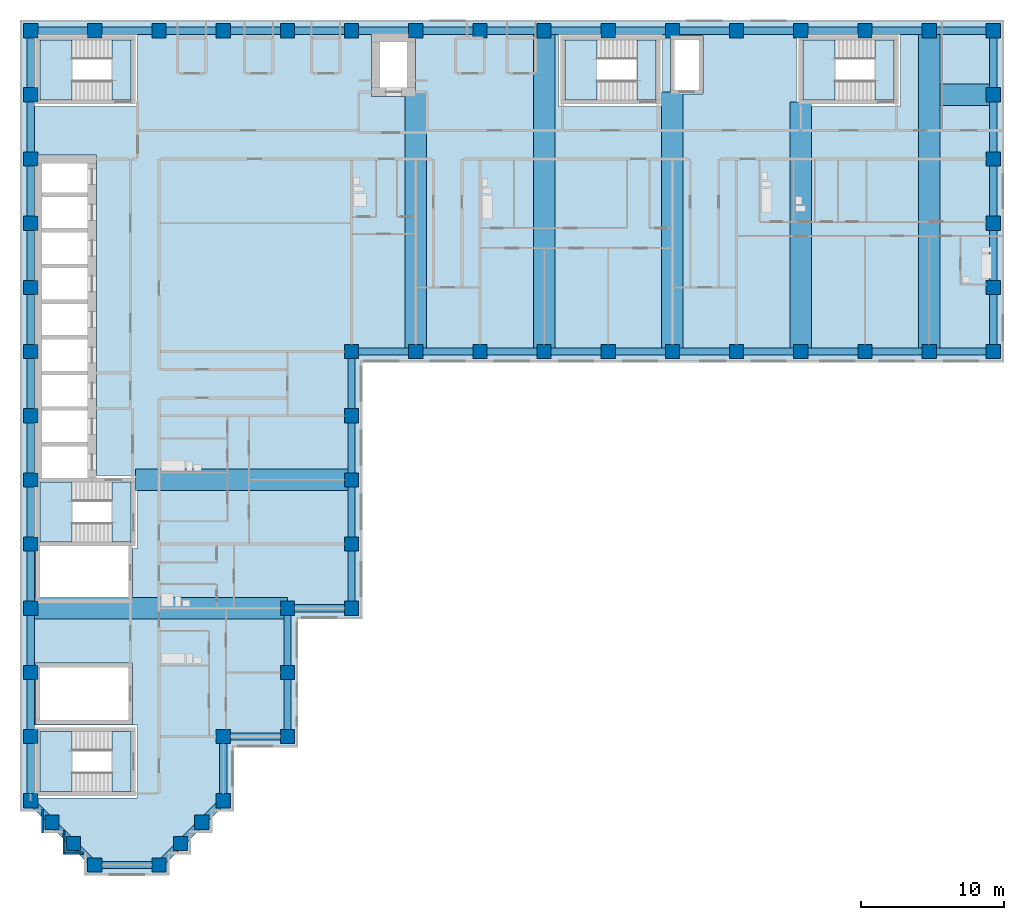
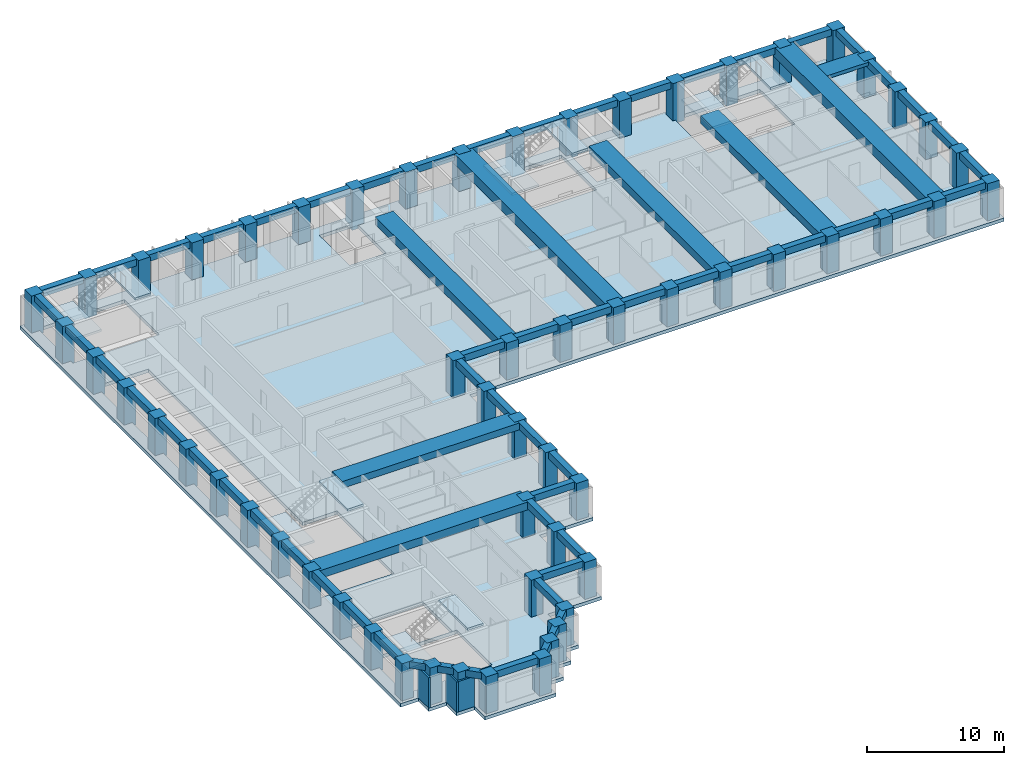
# One storey, part 1 of 12: 66 beams, 58 columns, 11 slabs, 3 walls, 5 elements without a shape of their own.
"""IFC4 building model written with IfcOpenShell, lengths in metres."""

from ifc_helpers import new_model, si_unit, direction, frame, frame_2d, origin, origin_2d, place, context, subcontext, project, spatial, polyline, rectangle, outline, extrude, material, layer, layer_set, material_profile, profile_set, type_object, element, aggregate, save


model = new_model("IFC4")

# Units and contexts
model_context = context("Model", 3, precision=1e-05, world=origin(), true_north=direction((0.0, 1.0)))
body_context = subcontext(model_context, "Body", "Model", "MODEL_VIEW")
ifc_project = project(units=[si_unit("LENGTHUNIT", "METRE"), si_unit("AREAUNIT", "SQUARE_METRE"), si_unit("VOLUMEUNIT", "CUBIC_METRE"), si_unit("PLANEANGLEUNIT", "RADIAN"), si_unit("MASSUNIT", "GRAM", prefix="KILO")], contexts=[model_context])

# Site, building, storey
site_placement = place(None, origin())
site = spatial("IfcSite", under=ifc_project, at=site_placement, CompositionType="ELEMENT")
building_placement = place(site_placement, origin())
building = spatial("IfcBuilding", under=site, at=building_placement, Name="Firuza Court", CompositionType="ELEMENT")
storey_placement = place(building_placement, frame((0.0, 0.0, 144.800048828125)))
storey = spatial("IfcBuildingStorey", under=building, at=storey_placement, Name="L36", CompositionType="ELEMENT", Elevation=144.800048828125)

# Columns
ifc_material_1 = material(Name="Concrete C60/75", Category="concrete")
ifc_material_profile_1 = material_profile(ifc_material_1, rectangle(XDim=1.0, YDim=1.0, at=origin_2d()), Name="RC 1000x1000")
ifc_profile_set_1 = profile_set([ifc_material_profile_1], Name="Concrete C60/75")
column_type = type_object("IfcColumnType", Name="Tube column RC 1000x1000 C60/75", PredefinedType="COLUMN", material=ifc_profile_set_1)
for number, where, z_axis, x_axis, name in (
    (1, (4.5, 0.0, -0.300048828125), (0.0, 0.0, 1.0), (1.0, 0.0, 0.0), "Column C-2D L36"),
    (2, (9.0, 0.0, -0.300048828125), (0.0, 0.0, 1.0), (1.0, 0.0, 0.0), "Column C-3D L36"),
    (3, (3.0, 1.5, -0.300048828125), (0.0, 0.0, 1.0), (1.0, 0.0, 0.0), "Column C-SA1 L36"),
    (4, (10.5, 1.5, -0.300048828125), (0.0, 0.0, 1.0), (1.0, 0.0, 0.0), "Column C-SA2 L36"),
    (5, (1.5, 3.0, -0.300048828125), (0.0, 0.0, 1.0), (1.0, 0.0, 0.0), "Column C-SA3 L36"),
    (6, (12.0, 3.0, -0.300048828125), (0.0, 0.0, 1.0), (1.0, 0.0, 0.0), "Column C-SA4 L36"),
    (7, (0.0, 4.5, -0.300048828125), (0.0, 0.0, 1.0), (1.0, 0.0, 0.0), "Column C-1E L36"),
    (8, (13.5, 4.5, -0.300048828125), (0.0, 0.0, 1.0), (1.0, 0.0, 0.0), "Column C-4E L36"),
    (9, (0.0, 9.0, -0.300048828125), (0.0, 0.0, 1.0), (1.0, 0.0, 0.0), "Column C-1F L36"),
    (10, (13.5, 9.0, -0.300048828125), (0.0, 0.0, 1.0), (1.0, 0.0, 0.0), "Column C-4F L36"),
    (11, (18.0, 9.0, -0.300048828125), (0.0, 0.0, 1.0), (1.0, 0.0, 0.0), "Column C-5F L36"),
    (12, (0.0, 13.5, -0.300048828125), (0.0, 0.0, 1.0), (1.0, 0.0, 0.0), "Column C-1G L36"),
    (13, (18.0, 13.5, -0.300048828125), (0.0, 0.0, 1.0), (1.0, 0.0, 0.0), "Column C-5G L36"),
    (14, (0.0, 18.0, -0.300048828125), (0.0, 0.0, 1.0), (1.0, 0.0, 0.0), "Column C-1H L36"),
    (15, (18.0, 18.0, -0.300048828125), (0.0, 0.0, 1.0), (1.0, 0.0, 0.0), "Column C-5H L36"),
    (16, (22.5, 18.0, -0.300048828125), (0.0, 0.0, 1.0), (1.0, 0.0, 0.0), "Column C-6H L36"),
    (17, (0.0, 22.5, -0.300048828125), (0.0, 0.0, 1.0), (1.0, 0.0, 0.0), "Column C-1J L36"),
    (18, (22.5, 22.5, -0.300048828125), (0.0, 0.0, 1.0), (1.0, 0.0, 0.0), "Column C-6J L36"),
    (19, (0.0, 27.0, -0.300048828125), (0.0, 0.0, 1.0), (1.0, 0.0, 0.0), "Column C-1K L36"),
    (20, (22.5, 27.0, -0.300048828125), (0.0, 0.0, 1.0), (1.0, 0.0, 0.0), "Column C-6K L36"),
    (21, (0.0, 31.5, -0.300048828125), (0.0, 0.0, 1.0), (1.0, 0.0, 0.0), "Column C-1L L36"),
    (22, (22.5, 31.5, -0.300048828125), (0.0, 0.0, 1.0), (1.0, 0.0, 0.0), "Column C-6L L36"),
    (23, (0.0, 36.0, -0.300048828125), (0.0, 0.0, 1.0), (1.0, 0.0, 0.0), "Column C-1M L36"),
    (24, (22.5, 36.0, -0.300048828125), (0.0, 0.0, 1.0), (1.0, 0.0, 0.0), "Column C-6M L36"),
    (25, (27.0, 36.0, -0.300048828125), (0.0, 0.0, 1.0), (1.0, 0.0, 0.0), "Column C-7M L36"),
    (26, (31.5, 36.0, -0.300048828125), (0.0, 0.0, 1.0), (1.0, 0.0, 0.0), "Column C-8M L36"),
    (27, (36.0, 36.0, -0.300048828125), (0.0, 0.0, 1.0), (1.0, 0.0, 0.0), "Column C-9M L36"),
    (28, (40.5, 36.0, -0.300048828125), (0.0, 0.0, 1.0), (1.0, 0.0, 0.0), "Column C-10M L36"),
    (29, (45.0, 36.0, -0.300048828125), (0.0, 0.0, 1.0), (1.0, 0.0, 0.0), "Column C-11M L36"),
    (30, (49.5, 36.0, -0.300048828125), (0.0, 0.0, 1.0), (1.0, 0.0, 0.0), "Column C-12M L36"),
    (31, (54.0, 36.0, -0.300048828125), (0.0, 0.0, 1.0), (1.0, 0.0, 0.0), "Column C-13M L36"),
    (32, (58.5, 36.0, -0.300048828125), (0.0, 0.0, 1.0), (1.0, 0.0, 0.0), "Column C-14M L36"),
    (33, (63.0, 36.0, -0.300048828125), (0.0, 0.0, 1.0), (1.0, 0.0, 0.0), "Column C-15M L36"),
    (34, (67.5, 36.0, -0.300048828125), (0.0, 0.0, 1.0), (1.0, 0.0, 0.0), "Column C-16M L36"),
    (35, (0.0, 40.5, -0.300048828125), (0.0, 0.0, 1.0), (1.0, 0.0, 0.0), "Column C-1N L36"),
    (36, (67.5, 40.5, -0.300048828125), (0.0, 0.0, 1.0), (1.0, 0.0, 0.0), "Column C-16N L36"),
    (37, (0.0, 45.0, -0.300048828125), (0.0, 0.0, 1.0), (1.0, 0.0, 0.0), "Column C-1P L36"),
    (38, (67.5, 45.0, -0.300048828125), (0.0, 0.0, 1.0), (1.0, 0.0, 0.0), "Column C-16P L36"),
    (39, (0.0, 49.5, -0.300048828125), (0.0, 0.0, 1.0), (1.0, 0.0, 0.0), "Column C-1Q L36"),
    (40, (67.5, 49.5, -0.300048828125), (0.0, 0.0, 1.0), (1.0, 0.0, 0.0), "Column C-16Q L36"),
    (41, (0.0, 54.0, -0.300048828125), (0.0, 0.0, 1.0), (1.0, 0.0, 0.0), "Column C-1R L36"),
    (42, (67.5, 54.0, -0.300048828125), (0.0, 0.0, 1.0), (1.0, 0.0, 0.0), "Column C-16R L36"),
    (43, (0.0, 58.5, -0.300048828125), (0.0, 0.0, 1.0), (1.0, 0.0, 0.0), "Column C-1S L36"),
    (44, (4.5, 58.5, -0.300048828125), (0.0, 0.0, 1.0), (1.0, 0.0, 0.0), "Column C-2S L36"),
    (45, (9.0, 58.5, -0.300048828125), (0.0, 0.0, 1.0), (1.0, 0.0, 0.0), "Column C-3S L36"),
    (46, (13.5, 58.5, -0.300048828125), (0.0, 0.0, 1.0), (1.0, 0.0, 0.0), "Column C-4S L36"),
    (47, (18.0, 58.5, -0.300048828125), (0.0, 0.0, 1.0), (1.0, 0.0, 0.0), "Column C-5S L36"),
    (48, (22.5, 58.5, -0.300048828125), (0.0, 0.0, 1.0), (1.0, 0.0, 0.0), "Column C-6S L36"),
    (49, (27.0, 58.5, -0.300048828125), (0.0, 0.0, 1.0), (1.0, 0.0, 0.0), "Column C-7S L36"),
    (50, (31.5, 58.5, -0.300048828125), (0.0, 0.0, 1.0), (1.0, 0.0, 0.0), "Column C-8S L36"),
    (51, (36.0, 58.5, -0.300048828125), (0.0, 0.0, 1.0), (1.0, 0.0, 0.0), "Column C-9S L36"),
    (52, (40.5, 58.5, -0.300048828125), (0.0, 0.0, 1.0), (1.0, 0.0, 0.0), "Column C-10S L36"),
    (53, (45.0, 58.5, -0.300048828125), (0.0, 0.0, 1.0), (1.0, 0.0, 0.0), "Column C-11S L36"),
    (54, (49.5, 58.5, -0.300048828125), (0.0, 0.0, 1.0), (1.0, 0.0, 0.0), "Column C-12S L36"),
    (55, (54.0, 58.5, -0.300048828125), (0.0, 0.0, 1.0), (1.0, 0.0, 0.0), "Column C-13S L36"),
    (56, (58.5, 58.5, -0.300048828125), (0.0, 0.0, 1.0), (1.0, 0.0, 0.0), "Column C-14S L36"),
    (57, (63.0, 58.5, -0.300048828125), (0.0, 0.0, 1.0), (1.0, 0.0, 0.0), "Column C-15S L36"),
    (58, (67.5, 58.5, -0.300048828125), (0.0, 0.0, 1.0), (1.0, 0.0, 0.0), "Column C-16S L36"),
):
    element("IfcColumn", number, at=place(storey_placement, frame(where, z_axis=z_axis, x_axis=x_axis)), inside=storey, type_object=column_type, Name=name, PredefinedType="COLUMN", context=body_context, shape_type="SweptSolid", body=[
        extrude(rectangle(XDim=1.0, YDim=1.0, at=origin_2d()), origin(), (0.0, 0.0, 1.0), 3.60009765625),
    ])

# Beams
ifc_material_2 = material(Name="Concrete C40/50", Category="concrete")
ifc_material_profile_2 = material_profile(ifc_material_2, rectangle(XDim=1.5, YDim=0.300048828125, at=origin_2d()), Name="RC 1500x300")
ifc_profile_set_2 = profile_set([ifc_material_profile_2], Name="Concrete C40/50")
beam_type_1 = type_object("IfcBeamType", Name="Band beam RC 1500x300 C40/50", PredefinedType="BEAM", material=ifc_profile_set_2)
beam_1_placement = place(storey_placement, frame((67.5, 54.0, 3.14990234375), z_axis=(-1.0, 0.0, 0.0), x_axis=(0.0, -1.0, 0.0)))
element("IfcBeam", 59, at=beam_1_placement, inside=storey, type_object=beam_type_1, Name="Band beam FB6 level L37", PredefinedType="BEAM", context=body_context, shape_type="SweptSolid", body=[
    extrude(rectangle(XDim=1.5, YDim=0.300048828125, at=origin_2d()), origin(), (0.0, 0.0, 1.0), 3.75),
])
ifc_material_3 = material(Name="Concrete C40/50", Category="concrete")
ifc_material_profile_3 = material_profile(ifc_material_3, rectangle(XDim=1.5, YDim=0.60009765625, at=origin_2d()), Name="RC 1500x600")
ifc_profile_set_3 = profile_set([ifc_material_profile_3], Name="Concrete C40/50")
beam_type_2 = type_object("IfcBeamType", Name="Band beam RC 1500x600 C40/50", PredefinedType="BEAM", material=ifc_profile_set_3)
beam_2_placement = place(storey_placement, frame((22.5, 27.0, 3.0), z_axis=(-1.0, 0.0, 0.0), x_axis=(0.0, -1.0, 0.0)))
element("IfcBeam", 60, at=beam_2_placement, inside=storey, type_object=beam_type_2, Name="Band beam FB3 level L37", PredefinedType="BEAM", context=body_context, shape_type="SweptSolid", body=[
    extrude(rectangle(XDim=1.5, YDim=0.60009765625, at=origin_2d()), origin(), (0.0, 0.0, 1.0), 15.14990234375),
])
ifc_material_4 = material(Name="Concrete C40/50", Category="concrete")
ifc_material_profile_4 = material_profile(ifc_material_4, rectangle(XDim=1.5, YDim=0.699951171875, at=origin_2d()), Name="RC 1500x700")
ifc_profile_set_4 = profile_set([ifc_material_profile_4], Name="Concrete C40/50")
beam_type_3 = type_object("IfcBeamType", Name="Band beam RC 1500x700 C40/50", PredefinedType="BEAM", material=ifc_profile_set_4)
beam_3_placement = place(storey_placement, frame((0.0, 18.0, 2.949951171875), z_axis=(1.0, 0.0, 0.0), x_axis=(0.0, 1.0, 0.0)))
element("IfcBeam", 61, at=beam_3_placement, inside=storey, type_object=beam_type_3, Name="Band beam FB1 level L37", PredefinedType="BEAM", context=body_context, shape_type="SweptSolid", body=[
    extrude(rectangle(XDim=1.5, YDim=0.699951171875, at=origin_2d()), origin(), (0.0, 0.0, 1.0), 18.0),
])
for number, where, z_axis, x_axis, name in (
    (62, (27.0, 36.0, 2.949951171875), (0.0, 1.0, 0.0), (-1.0, 0.0, 0.0), "Band beam FB1 level L37"),
    (63, (45.0, 36.0, 2.949951171875), (0.0, 1.0, 0.0), (-1.0, 0.0, 0.0), "Band beam FB1 level L37"),
):
    element("IfcBeam", number, at=place(storey_placement, frame(where, z_axis=z_axis, x_axis=x_axis)), inside=storey, type_object=beam_type_3, Name=name, PredefinedType="BEAM", context=body_context, shape_type="SweptSolid", body=[
        extrude(rectangle(XDim=1.5, YDim=0.699951171875, at=origin_2d()), origin(), (0.0, 0.0, 1.0), 18.199951171875),
    ])
beam_4_placement = place(storey_placement, frame((54.0, 36.0, 2.949951171875), z_axis=(0.0, 1.0, 0.0), x_axis=(-1.0, 0.0, 0.0)))
element("IfcBeam", 64, at=beam_4_placement, inside=storey, type_object=beam_type_3, Name="Band beam FB1 level L37", PredefinedType="BEAM", context=body_context, shape_type="SweptSolid", body=[
    extrude(rectangle(XDim=1.5, YDim=0.699951171875, at=origin_2d()), origin(), (0.0, 0.0, 1.0), 17.5),
])
ifc_material_5 = material(Name="Concrete C40/50", Category="concrete")
ifc_material_profile_5 = material_profile(ifc_material_5, rectangle(XDim=1.5, YDim=0.89990234375, at=origin_2d()), Name="RC 1500x900")
ifc_profile_set_5 = profile_set([ifc_material_profile_5], Name="Concrete C40/50")
beam_type_4 = type_object("IfcBeamType", Name="Band beam RC 1500x900 C40/50", PredefinedType="BEAM", material=ifc_profile_set_5)
for number, where, z_axis, x_axis, name in (
    (65, (36.0, 36.0, 2.849853515625), (0.0, 1.0, 0.0), (-1.0, 0.0, 0.0), "Band beam FB2 level L37"),
    (66, (63.0, 36.0, 2.849853515625), (0.0, 1.0, 0.0), (-1.0, 0.0, 0.0), "Band beam FB2 level L37"),
):
    element("IfcBeam", number, at=place(storey_placement, frame(where, z_axis=z_axis, x_axis=x_axis)), inside=storey, type_object=beam_type_4, Name=name, PredefinedType="BEAM", context=body_context, shape_type="SweptSolid", body=[
        extrude(rectangle(XDim=1.5, YDim=0.89990234375, at=origin_2d()), origin(), (0.0, 0.0, 1.0), 22.5),
    ])
ifc_material_6 = material(Name="Concrete C40/50", Category="concrete")
ifc_material_profile_6 = material_profile(ifc_material_6, rectangle(XDim=0.5, YDim=0.60009765625, at=origin_2d()), Name="RC 500x600")
ifc_profile_set_6 = profile_set([ifc_material_profile_6], Name="Concrete C40/50")
beam_type_5 = type_object("IfcBeamType", Name="Spandrel beam RC 500x600 C40/50", PredefinedType="BEAM", material=ifc_profile_set_6)
beam_5_placement = place(storey_placement, frame((0.0, 4.5, 3.0), z_axis=(0.707106781187, -0.707106781187, 0.0), x_axis=(0.707106781187, 0.707106781187, 0.0)))
element("IfcBeam", 67, at=beam_5_placement, inside=storey, type_object=beam_type_5, Name="Spandrel beam SP13 level L37", PredefinedType="BEAM", context=body_context, shape_type="SweptSolid", body=[
    extrude(rectangle(XDim=0.5, YDim=0.60009765625, at=origin_2d()), origin(), (0.0, 0.0, 1.0), 2.121337890625),
])
for number, where, z_axis, x_axis, name in (
    (68, (0.0, 9.0, 3.0), (0.0, -1.0, 0.0), (1.0, 0.0, 0.0), "Spandrel beam SP13 level L37"),
    (69, (0.0, 13.5, 3.0), (0.0, -1.0, 0.0), (1.0, 0.0, 0.0), "Spandrel beam SP13 level L37"),
    (70, (0.0, 18.0, 3.0), (0.0, -1.0, 0.0), (1.0, 0.0, 0.0), "Spandrel beam SP13 level L37"),
    (71, (0.0, 22.5, 3.0), (0.0, -1.0, 0.0), (1.0, 0.0, 0.0), "Spandrel beam SP13 level L37"),
    (72, (0.0, 27.0, 3.0), (0.0, -1.0, 0.0), (1.0, 0.0, 0.0), "Spandrel beam SP13 level L37"),
    (73, (0.0, 31.5, 3.0), (0.0, -1.0, 0.0), (1.0, 0.0, 0.0), "Spandrel beam SP13 level L37"),
    (74, (0.0, 36.0, 3.0), (0.0, -1.0, 0.0), (1.0, 0.0, 0.0), "Spandrel beam SP13 level L37"),
    (75, (0.0, 40.5, 3.0), (0.0, -1.0, 0.0), (1.0, 0.0, 0.0), "Spandrel beam SP13 level L37"),
    (76, (0.0, 45.0, 3.0), (0.0, -1.0, 0.0), (1.0, 0.0, 0.0), "Spandrel beam SP13 level L37"),
    (77, (0.0, 49.5, 3.0), (0.0, -1.0, 0.0), (1.0, 0.0, 0.0), "Spandrel beam SP13 level L37"),
    (78, (0.0, 54.0, 3.0), (0.0, -1.0, 0.0), (1.0, 0.0, 0.0), "Spandrel beam SP13 level L37"),
    (79, (0.0, 58.5, 3.0), (0.0, -1.0, 0.0), (1.0, 0.0, 0.0), "Spandrel beam SP13 level L37"),
):
    element("IfcBeam", number, at=place(storey_placement, frame(where, z_axis=z_axis, x_axis=x_axis)), inside=storey, type_object=beam_type_5, Name=name, PredefinedType="BEAM", context=body_context, shape_type="SweptSolid", body=[
        extrude(rectangle(XDim=0.5, YDim=0.60009765625, at=origin_2d()), origin(), (0.0, 0.0, 1.0), 4.5),
    ])
for number, where, z_axis, x_axis, name in (
    (80, (1.5, 3.0, 3.0), (0.707106781187, -0.707106781187, 0.0), (0.707106781187, 0.707106781187, 0.0), "Spandrel beam SP13 level L37"),
    (81, (3.0, 1.5, 3.0), (0.707106781187, -0.707106781187, 0.0), (0.707106781187, 0.707106781187, 0.0), "Spandrel beam SP13 level L37"),
):
    element("IfcBeam", number, at=place(storey_placement, frame(where, z_axis=z_axis, x_axis=x_axis)), inside=storey, type_object=beam_type_5, Name=name, PredefinedType="BEAM", context=body_context, shape_type="SweptSolid", body=[
        extrude(rectangle(XDim=0.5, YDim=0.60009765625, at=origin_2d()), origin(), (0.0, 0.0, 1.0), 2.121337890625),
    ])
for number, where, z_axis, x_axis, name in (
    (82, (4.5, 0.0, 3.0), (1.0, 0.0, 0.0), (0.0, 1.0, 0.0), "Spandrel beam SP13 level L37"),
    (83, (4.5, 58.5, 3.0), (-1.0, 0.0, 0.0), (0.0, -1.0, 0.0), "Spandrel beam SP13 level L37"),
):
    element("IfcBeam", number, at=place(storey_placement, frame(where, z_axis=z_axis, x_axis=x_axis)), inside=storey, type_object=beam_type_5, Name=name, PredefinedType="BEAM", context=body_context, shape_type="SweptSolid", body=[
        extrude(rectangle(XDim=0.5, YDim=0.60009765625, at=origin_2d()), origin(), (0.0, 0.0, 1.0), 4.5),
    ])
beam_6_placement = place(storey_placement, frame((9.0, 0.0, 3.0), z_axis=(0.707106781187, 0.707106781187, 0.0), x_axis=(-0.707106781187, 0.707106781187, 0.0)))
element("IfcBeam", 84, at=beam_6_placement, inside=storey, type_object=beam_type_5, Name="Spandrel beam SP13 level L37", PredefinedType="BEAM", context=body_context, shape_type="SweptSolid", body=[
    extrude(rectangle(XDim=0.5, YDim=0.60009765625, at=origin_2d()), origin(), (0.0, 0.0, 1.0), 2.121337890625),
])
beam_7_placement = place(storey_placement, frame((9.0, 58.5, 3.0), z_axis=(-1.0, 0.0, 0.0), x_axis=(0.0, -1.0, 0.0)))
element("IfcBeam", 85, at=beam_7_placement, inside=storey, type_object=beam_type_5, Name="Spandrel beam SP13 level L37", PredefinedType="BEAM", context=body_context, shape_type="SweptSolid", body=[
    extrude(rectangle(XDim=0.5, YDim=0.60009765625, at=origin_2d()), origin(), (0.0, 0.0, 1.0), 4.5),
])
for number, where, z_axis, x_axis, name in (
    (86, (10.5, 1.5, 3.0), (0.707106781187, 0.707106781187, 0.0), (-0.707106781187, 0.707106781187, 0.0), "Spandrel beam SP13 level L37"),
    (87, (12.0, 3.0, 3.0), (0.707106781187, 0.707106781187, 0.0), (-0.707106781187, 0.707106781187, 0.0), "Spandrel beam SP13 level L37"),
):
    element("IfcBeam", number, at=place(storey_placement, frame(where, z_axis=z_axis, x_axis=x_axis)), inside=storey, type_object=beam_type_5, Name=name, PredefinedType="BEAM", context=body_context, shape_type="SweptSolid", body=[
        extrude(rectangle(XDim=0.5, YDim=0.60009765625, at=origin_2d()), origin(), (0.0, 0.0, 1.0), 2.121337890625),
    ])
for number, where, z_axis, x_axis, name in (
    (88, (13.5, 4.5, 3.0), (0.0, 1.0, 0.0), (-1.0, 0.0, 0.0), "Spandrel beam SP13 level L37"),
    (89, (13.5, 9.0, 3.0), (1.0, 0.0, 0.0), (0.0, 1.0, 0.0), "Spandrel beam SP13 level L37"),
    (90, (13.5, 58.5, 3.0), (-1.0, 0.0, 0.0), (0.0, -1.0, 0.0), "Spandrel beam SP13 level L37"),
    (91, (18.0, 9.0, 3.0), (0.0, 1.0, 0.0), (-1.0, 0.0, 0.0), "Spandrel beam SP13 level L37"),
    (92, (18.0, 13.5, 3.0), (0.0, 1.0, 0.0), (-1.0, 0.0, 0.0), "Spandrel beam SP13 level L37"),
    (93, (18.0, 18.0, 3.0), (1.0, 0.0, 0.0), (0.0, 1.0, 0.0), "Spandrel beam SP13 level L37"),
    (94, (18.0, 58.5, 3.0), (-1.0, 0.0, 0.0), (0.0, -1.0, 0.0), "Spandrel beam SP13 level L37"),
    (95, (22.5, 18.0, 3.0), (0.0, 1.0, 0.0), (-1.0, 0.0, 0.0), "Spandrel beam SP13 level L37"),
    (96, (22.5, 22.5, 3.0), (0.0, 1.0, 0.0), (-1.0, 0.0, 0.0), "Spandrel beam SP13 level L37"),
    (97, (22.5, 27.0, 3.0), (0.0, 1.0, 0.0), (-1.0, 0.0, 0.0), "Spandrel beam SP13 level L37"),
    (98, (22.5, 31.5, 3.0), (0.0, 1.0, 0.0), (-1.0, 0.0, 0.0), "Spandrel beam SP13 level L37"),
    (99, (22.5, 36.0, 3.0), (1.0, 0.0, 0.0), (0.0, 1.0, 0.0), "Spandrel beam SP13 level L37"),
    (100, (22.5, 58.5, 3.0), (-1.0, 0.0, 0.0), (0.0, -1.0, 0.0), "Spandrel beam SP13 level L37"),
    (101, (27.0, 36.0, 3.0), (1.0, 0.0, 0.0), (0.0, 1.0, 0.0), "Spandrel beam SP13 level L37"),
    (102, (27.0, 58.5, 3.0), (-1.0, 0.0, 0.0), (0.0, -1.0, 0.0), "Spandrel beam SP13 level L37"),
    (103, (31.5, 36.0, 3.0), (1.0, 0.0, 0.0), (0.0, 1.0, 0.0), "Spandrel beam SP13 level L37"),
    (104, (31.5, 58.5, 3.0), (-1.0, 0.0, 0.0), (0.0, -1.0, 0.0), "Spandrel beam SP13 level L37"),
    (105, (36.0, 36.0, 3.0), (1.0, 0.0, 0.0), (0.0, 1.0, 0.0), "Spandrel beam SP13 level L37"),
    (106, (36.0, 58.5, 3.0), (-1.0, 0.0, 0.0), (0.0, -1.0, 0.0), "Spandrel beam SP13 level L37"),
    (107, (40.5, 36.0, 3.0), (1.0, 0.0, 0.0), (0.0, 1.0, 0.0), "Spandrel beam SP13 level L37"),
    (108, (40.5, 58.5, 3.0), (-1.0, 0.0, 0.0), (0.0, -1.0, 0.0), "Spandrel beam SP13 level L37"),
    (109, (45.0, 36.0, 3.0), (1.0, 0.0, 0.0), (0.0, 1.0, 0.0), "Spandrel beam SP13 level L37"),
    (110, (45.0, 58.5, 3.0), (-1.0, 0.0, 0.0), (0.0, -1.0, 0.0), "Spandrel beam SP13 level L37"),
    (111, (49.5, 36.0, 3.0), (1.0, 0.0, 0.0), (0.0, 1.0, 0.0), "Spandrel beam SP13 level L37"),
    (112, (49.5, 58.5, 3.0), (-1.0, 0.0, 0.0), (0.0, -1.0, 0.0), "Spandrel beam SP13 level L37"),
    (113, (54.0, 36.0, 3.0), (1.0, 0.0, 0.0), (0.0, 1.0, 0.0), "Spandrel beam SP13 level L37"),
    (114, (54.0, 58.5, 3.0), (-1.0, 0.0, 0.0), (0.0, -1.0, 0.0), "Spandrel beam SP13 level L37"),
    (115, (58.5, 36.0, 3.0), (1.0, 0.0, 0.0), (0.0, 1.0, 0.0), "Spandrel beam SP13 level L37"),
    (116, (58.5, 58.5, 3.0), (-1.0, 0.0, 0.0), (0.0, -1.0, 0.0), "Spandrel beam SP13 level L37"),
    (117, (63.0, 36.0, 3.0), (1.0, 0.0, 0.0), (0.0, 1.0, 0.0), "Spandrel beam SP13 level L37"),
    (118, (63.0, 58.5, 3.0), (-1.0, 0.0, 0.0), (0.0, -1.0, 0.0), "Spandrel beam SP13 level L37"),
    (119, (67.5, 36.0, 3.0), (0.0, 1.0, 0.0), (-1.0, 0.0, 0.0), "Spandrel beam SP13 level L37"),
    (120, (67.5, 40.5, 3.0), (0.0, 1.0, 0.0), (-1.0, 0.0, 0.0), "Spandrel beam SP13 level L37"),
    (121, (67.5, 45.0, 3.0), (0.0, 1.0, 0.0), (-1.0, 0.0, 0.0), "Spandrel beam SP13 level L37"),
    (122, (67.5, 49.5, 3.0), (0.0, 1.0, 0.0), (-1.0, 0.0, 0.0), "Spandrel beam SP13 level L37"),
    (123, (67.5, 54.0, 3.0), (0.0, 1.0, 0.0), (-1.0, 0.0, 0.0), "Spandrel beam SP13 level L37"),
    (124, (67.5, 58.5, 3.0), (-1.0, 0.0, 0.0), (0.0, -1.0, 0.0), "Spandrel beam SP13 level L37"),
):
    element("IfcBeam", number, at=place(storey_placement, frame(where, z_axis=z_axis, x_axis=x_axis)), inside=storey, type_object=beam_type_5, Name=name, PredefinedType="BEAM", context=body_context, shape_type="SweptSolid", body=[
        extrude(rectangle(XDim=0.5, YDim=0.60009765625, at=origin_2d()), origin(), (0.0, 0.0, 1.0), 4.5),
    ])

# Slab
ifc_material_7 = material(Name="Concrete C40/50", Category="concrete")
ifc_layer_1 = layer(ifc_material_7, 0.300048828125)
ifc_layer_set_1 = layer_set([ifc_layer_1], Name="Concrete C40/50")
slab_type_1 = type_object("IfcSlabType", Name="Floor slab 300 C40/50", PredefinedType="FLOOR", material=ifc_layer_set_1)
slab_1_placement = place(storey_placement, frame((0.0, 0.0, -0.300048828125)))
element("IfcSlab", 125, at=slab_1_placement, inside=storey, type_object=slab_type_1, Name="Floor slab L36", PredefinedType="FLOOR", context=body_context, shape_type="SweptSolid", body=[
    extrude(outline(polyline([(3.75, -0.75), (3.75, 0.75), (2.25, 0.75), (2.25, 2.25), (0.75, 2.25), (0.75, 3.75), (-0.75, 3.75), (-0.75, 59.25), (68.25, 59.25), (68.25, 35.25), (23.25, 35.25), (23.25, 17.25), (18.75, 17.25), (18.75, 8.25), (14.25, 8.25), (14.25, 3.75), (12.75, 3.75), (12.75, 2.25), (11.25, 2.25), (11.25, 0.75), (9.75, 0.75), (9.75, -0.75), (3.75, -0.75)]), holes=[polyline([(0.199951171875, 29.800048828125), (0.199951171875, 29.199951171875), (0.199951171875, 27.300048828125), (0.199951171875, 26.699951171875), (0.199951171875, 22.199951171875), (0.35009765625, 22.199951171875), (0.35009765625, 18.35009765625), (7.14990234375, 18.35009765625), (7.14990234375, 22.199951171875), (7.5, 22.199951171875), (7.5, 27.300048828125), (4.60009765625, 27.300048828125), (4.60009765625, 29.199951171875), (4.60009765625, 29.800048828125), (4.60009765625, 31.699951171875), (4.60009765625, 32.300048828125), (4.60009765625, 34.199951171875), (4.60009765625, 34.800048828125), (4.60009765625, 36.699951171875), (4.60009765625, 37.300048828125), (4.60009765625, 39.199951171875), (4.60009765625, 39.800048828125), (4.60009765625, 41.699951171875), (4.60009765625, 42.300048828125), (4.60009765625, 44.199951171875), (4.60009765625, 44.800048828125), (4.60009765625, 46.699951171875), (4.60009765625, 47.300048828125), (4.60009765625, 49.800048828125), (0.199951171875, 49.800048828125), (0.199951171875, 47.300048828125), (0.199951171875, 46.699951171875), (0.199951171875, 44.800048828125), (0.199951171875, 44.199951171875), (0.199951171875, 42.300048828125), (0.199951171875, 41.699951171875), (0.199951171875, 39.800048828125), (0.199951171875, 39.199951171875), (0.199951171875, 37.300048828125), (0.199951171875, 36.699951171875), (0.199951171875, 34.800048828125), (0.199951171875, 34.199951171875), (0.199951171875, 32.300048828125), (0.199951171875, 31.699951171875), (0.199951171875, 29.800048828125)]), polyline([(7.5, 9.800048828125), (0.199951171875, 9.800048828125), (0.199951171875, 4.699951171875), (7.5, 4.699951171875), (7.5, 9.800048828125)]), polyline([(7.14990234375, 14.14990234375), (0.35009765625, 14.14990234375), (0.35009765625, 9.85009765625), (7.14990234375, 9.85009765625), (7.14990234375, 14.14990234375)]), polyline([(7.5, 58.300048828125), (0.199951171875, 58.300048828125), (0.199951171875, 53.199951171875), (7.5, 53.199951171875), (7.5, 58.300048828125)]), polyline([(44.300048828125, 58.300048828125), (37.0, 58.300048828125), (37.0, 53.199951171875), (44.300048828125, 53.199951171875), (44.300048828125, 58.300048828125)]), polyline([(61.0, 58.300048828125), (53.699951171875, 58.300048828125), (53.699951171875, 53.199951171875), (61.0, 53.199951171875), (61.0, 58.300048828125)]), polyline([(27.0, 53.89990234375), (27.0, 58.300048828125), (23.89990234375, 58.300048828125), (23.89990234375, 53.89990234375), (27.0, 53.89990234375)]), polyline([(47.14990234375, 54.050048828125), (47.14990234375, 58.14990234375), (44.85009765625, 58.14990234375), (44.85009765625, 54.050048828125), (47.14990234375, 54.050048828125)])]), origin(), (0.0, 0.0, 1.0), 0.300048828125),
])

# Stair, slabs
ifc_material_8 = material(Name="Concrete C40/50 precast", Category="concrete")
stair_type = type_object("IfcStairType", Name="Stair 1350 x 3600 2 flights", PredefinedType="HALF_TURN_STAIR", material=ifc_material_8)
stair_1_placement = place(storey_placement, origin())
stair_1 = element("IfcStair", 126, at=stair_1_placement, inside=storey, type_object=stair_type, Name="Stair 1 L36", PredefinedType="HALF_TURN_STAIR")
ifc_material_9 = material(Name="Concrete C40/50 precast", Category="concrete")
ifc_layer_2 = layer(ifc_material_9, 0.199951171875)
ifc_layer_set_2 = layer_set([ifc_layer_2], Name="Concrete C40/50 precast")
slab_type_2 = type_object("IfcSlabType", Name="Stair landing 200", PredefinedType="LANDING", material=ifc_layer_set_2)
slab_2_placement = place(storey_placement, frame((0.0, 0.0, 1.599853515625)))
slab_2 = element("IfcSlab", 127, at=slab_2_placement, type_object=slab_type_2, Name="S1 landing 1", PredefinedType="LANDING", context=body_context, shape_type="SweptSolid", body=[
    extrude(outline(polyline([(39.699951171875, 53.64990234375), (39.699951171875, 57.85009765625), (37.449951171875, 57.85009765625), (37.449951171875, 53.64990234375), (39.699951171875, 53.64990234375)])), origin(), (0.0, 0.0, 1.0), 0.2001953125),
])
slab_3_placement = place(storey_placement, frame((0.0, 0.0, 3.39990234375)))
slab_3 = element("IfcSlab", 128, at=slab_3_placement, type_object=slab_type_2, Name="S1 landing 2", PredefinedType="LANDING", context=body_context, shape_type="SweptSolid", body=[
    extrude(outline(polyline([(43.85009765625, 53.64990234375), (43.85009765625, 57.85009765625), (42.5, 57.85009765625), (42.5, 53.64990234375), (43.85009765625, 53.64990234375)])), origin(), (0.0, 0.0, 1.0), 0.199951171875),
])
aggregate(stair_1, [slab_2, slab_3])

stair_2_placement = place(storey_placement, origin())
stair_2 = element("IfcStair", 129, at=stair_2_placement, inside=storey, type_object=stair_type, Name="Stair 2 L36", PredefinedType="HALF_TURN_STAIR")
slab_4_placement = place(storey_placement, frame((0.0, 0.0, 1.599853515625)))
slab_4 = element("IfcSlab", 130, at=slab_4_placement, type_object=slab_type_2, Name="S2 landing 1", PredefinedType="LANDING", context=body_context, shape_type="SweptSolid", body=[
    extrude(outline(polyline([(2.89990234375, 22.64990234375), (2.89990234375, 26.85009765625), (0.64990234375, 26.85009765625), (0.64990234375, 22.64990234375), (2.89990234375, 22.64990234375)])), origin(), (0.0, 0.0, 1.0), 0.2001953125),
])
slab_5_placement = place(storey_placement, frame((0.0, 0.0, 3.39990234375)))
slab_5 = element("IfcSlab", 131, at=slab_5_placement, type_object=slab_type_2, Name="S2 landing 2", PredefinedType="LANDING", context=body_context, shape_type="SweptSolid", body=[
    extrude(outline(polyline([(7.050048828125, 22.64990234375), (7.050048828125, 26.85009765625), (5.699951171875, 26.85009765625), (5.699951171875, 22.64990234375), (7.050048828125, 22.64990234375)])), origin(), (0.0, 0.0, 1.0), 0.199951171875),
])
aggregate(stair_2, [slab_4, slab_5])

stair_3_placement = place(storey_placement, origin())
stair_3 = element("IfcStair", 132, at=stair_3_placement, inside=storey, type_object=stair_type, Name="Stair 3 L36", PredefinedType="HALF_TURN_STAIR")
slab_6_placement = place(storey_placement, frame((0.0, 0.0, 1.599853515625)))
slab_6 = element("IfcSlab", 133, at=slab_6_placement, type_object=slab_type_2, Name="S3 landing 1", PredefinedType="LANDING", context=body_context, shape_type="SweptSolid", body=[
    extrude(outline(polyline([(2.89990234375, 53.64990234375), (2.89990234375, 57.85009765625), (0.64990234375, 57.85009765625), (0.64990234375, 53.64990234375), (2.89990234375, 53.64990234375)])), origin(), (0.0, 0.0, 1.0), 0.2001953125),
])
slab_7_placement = place(storey_placement, frame((0.0, 0.0, 3.39990234375)))
slab_7 = element("IfcSlab", 134, at=slab_7_placement, type_object=slab_type_2, Name="S3 landing 2", PredefinedType="LANDING", context=body_context, shape_type="SweptSolid", body=[
    extrude(outline(polyline([(7.050048828125, 53.64990234375), (7.050048828125, 57.85009765625), (5.699951171875, 57.85009765625), (5.699951171875, 53.64990234375), (7.050048828125, 53.64990234375)])), origin(), (0.0, 0.0, 1.0), 0.199951171875),
])
aggregate(stair_3, [slab_6, slab_7])

stair_4_placement = place(storey_placement, origin())
stair_4 = element("IfcStair", 135, at=stair_4_placement, inside=storey, type_object=stair_type, Name="Stair 4 L36", PredefinedType="HALF_TURN_STAIR")
slab_8_placement = place(storey_placement, frame((0.0, 0.0, 1.599853515625)))
slab_8 = element("IfcSlab", 136, at=slab_8_placement, type_object=slab_type_2, Name="S4 landing 1", PredefinedType="LANDING", context=body_context, shape_type="SweptSolid", body=[
    extrude(outline(polyline([(56.39990234375, 53.64990234375), (56.39990234375, 57.85009765625), (54.14990234375, 57.85009765625), (54.14990234375, 53.64990234375), (56.39990234375, 53.64990234375)])), origin(), (0.0, 0.0, 1.0), 0.2001953125),
])
slab_9_placement = place(storey_placement, frame((0.0, 0.0, 3.39990234375)))
slab_9 = element("IfcSlab", 137, at=slab_9_placement, type_object=slab_type_2, Name="S4 landing 2", PredefinedType="LANDING", context=body_context, shape_type="SweptSolid", body=[
    extrude(outline(polyline([(60.550048828125, 53.64990234375), (60.550048828125, 57.85009765625), (59.199951171875, 57.85009765625), (59.199951171875, 53.64990234375), (60.550048828125, 53.64990234375)])), origin(), (0.0, 0.0, 1.0), 0.199951171875),
])
aggregate(stair_4, [slab_8, slab_9])

stair_5_placement = place(storey_placement, origin())
stair_5 = element("IfcStair", 138, at=stair_5_placement, inside=storey, type_object=stair_type, Name="Stair 5 L36", PredefinedType="HALF_TURN_STAIR")
slab_10_placement = place(storey_placement, frame((0.0, 0.0, 1.599853515625)))
slab_10 = element("IfcSlab", 139, at=slab_10_placement, type_object=slab_type_2, Name="S5 landing 1", PredefinedType="LANDING", context=body_context, shape_type="SweptSolid", body=[
    extrude(outline(polyline([(2.89990234375, 5.14990234375), (2.89990234375, 9.35009765625), (0.64990234375, 9.35009765625), (0.64990234375, 5.14990234375), (2.89990234375, 5.14990234375)])), origin(), (0.0, 0.0, 1.0), 0.2001953125),
])
slab_11_placement = place(storey_placement, frame((0.0, 0.0, 3.39990234375)))
slab_11 = element("IfcSlab", 140, at=slab_11_placement, type_object=slab_type_2, Name="S5 landing 2", PredefinedType="LANDING", context=body_context, shape_type="SweptSolid", body=[
    extrude(outline(polyline([(7.050048828125, 5.14990234375), (7.050048828125, 9.35009765625), (5.699951171875, 9.35009765625), (5.699951171875, 5.14990234375), (7.050048828125, 5.14990234375)])), origin(), (0.0, 0.0, 1.0), 0.199951171875),
])
aggregate(stair_5, [slab_10, slab_11])

# Walls
ifc_material_10 = material(Name="Ceramic tile", Category="ceramic")
ifc_layer_3 = layer(ifc_material_10, 0.02001953125)
ifc_material_11 = material(Name="Mineral wool insulation", Category="insulation")
ifc_layer_4 = layer(ifc_material_11, 0.050048828125)
ifc_layer_5 = layer(ifc_material_9, 0.080078125)
ifc_layer_set_3 = layer_set([ifc_layer_3, ifc_layer_4, ifc_layer_5], Name="Concrete C40/50 precast")
wall_type = type_object("IfcWallType", Name="Precast cladding wall with turquoise TILE PANEL face 150", PredefinedType="STANDARD", material=ifc_layer_set_3)
for number, where, z_axis, x_axis, name in (
    (141, (0.824951171875, 3.89990234375, 0.0), (0.0, 0.0, 1.0), (0.0, -1.0, 0.0), "Facade wall L36 W"),
    (142, (2.324951171875, 2.39990234375, 0.0), (0.0, 0.0, 1.0), (0.0, -1.0, 0.0), "Facade wall L36 W"),
):
    element("IfcWall", number, at=place(storey_placement, frame(where, z_axis=z_axis, x_axis=x_axis)), inside=storey, type_object=wall_type, Name=name, PredefinedType="STANDARD", context=body_context, shape_type="SweptSolid", body=[
        extrude(rectangle(XDim=1.64990234375, YDim=0.14990234375, at=frame_2d((0.824951171875, 0.0))), origin(), (0.0, 0.0, 1.0), 2.699951171875),
    ])
wall_placement = place(storey_placement, frame((2.39990234375, 0.824951171875, 0.0), z_axis=(0.0, 0.0, 1.0), x_axis=(1.0, 0.0, 0.0)))
element("IfcWall", 143, at=wall_placement, inside=storey, type_object=wall_type, Name="Facade wall L36 S", PredefinedType="STANDARD", context=body_context, shape_type="SweptSolid", body=[
    extrude(rectangle(XDim=1.35009765625, YDim=0.14990234375, at=frame_2d((0.675048828125, 0.0))), origin(), (0.0, 0.0, 1.0), 2.699951171875),
])

save(model, "model.ifc")
